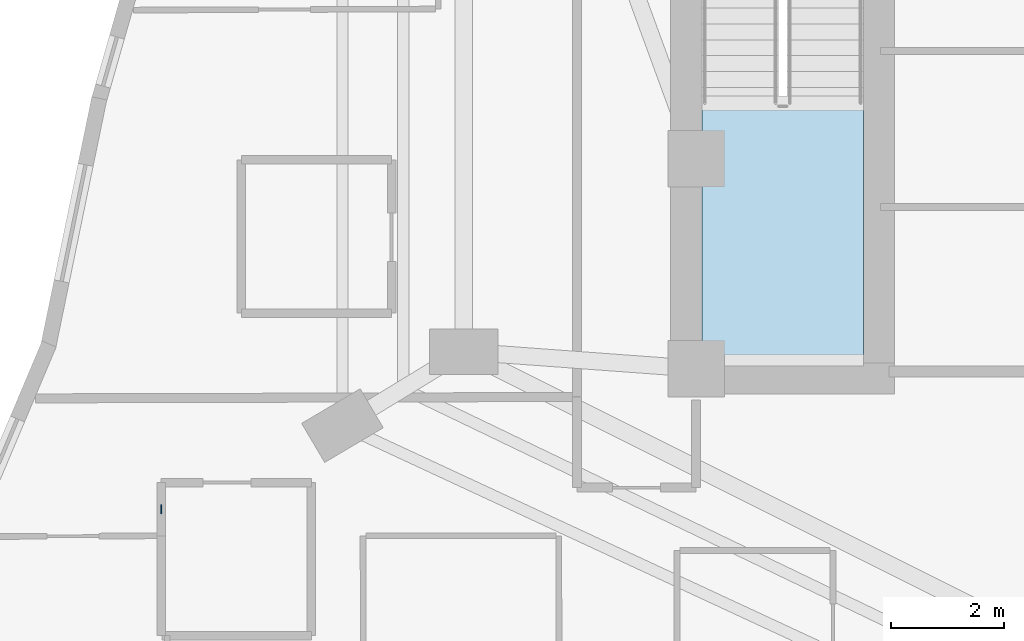
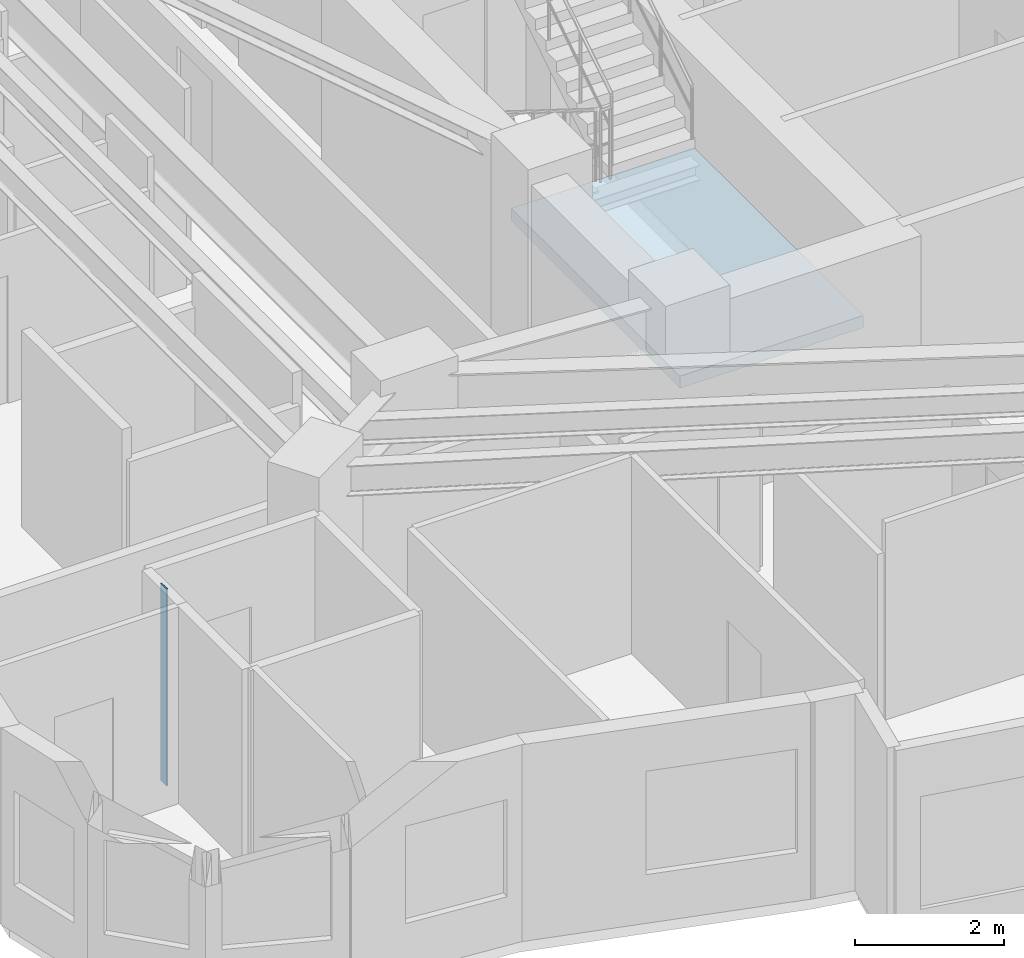
# One storey, part 2 of 11: 1 plate, 1 slab, 1 element without a shape of its own.
"""IFC4 building model written with IfcOpenShell, lengths in metres."""

from ifc_helpers import new_model, si_unit, direction, frame, origin, origin_2d, place, context, subcontext, project, spatial, polyline, rectangle, outline, extrude, material, layer, layer_set, type_object, element, aggregate, save


model = new_model("IFC4")

# Units and contexts
model_context = context("Model", 3, precision=1e-05, world=origin(), true_north=direction((0.0, 1.0)))
body_context = subcontext(model_context, "Body", "Model", "MODEL_VIEW")
ifc_project = project(units=[si_unit("LENGTHUNIT", "METRE"), si_unit("AREAUNIT", "SQUARE_METRE"), si_unit("VOLUMEUNIT", "CUBIC_METRE"), si_unit("PLANEANGLEUNIT", "RADIAN"), si_unit("MASSUNIT", "GRAM", prefix="KILO")], contexts=[model_context])

# Site, building, storey
site_placement = place(None, origin())
site = spatial("IfcSite", under=ifc_project, at=site_placement, CompositionType="ELEMENT")
building_placement = place(site_placement, origin())
building = spatial("IfcBuilding", under=site, at=building_placement, Name="Miruveldt Soraemaru", CompositionType="ELEMENT")
storey_placement = place(building_placement, frame((0.0, 0.0, 159.89990234375)))
storey = spatial("IfcBuildingStorey", under=building, at=storey_placement, Name="L44", CompositionType="ELEMENT", Elevation=159.89990234375)

# Plate
ifc_material_1 = material(Name="Anodised aluminium EN AW-6063 T6", Category="aluminium")
ifc_layer_1 = layer(ifc_material_1, 0.02001953125, Name="Anodised aluminium EN AW-6063 T6", Category="aluminium")
ifc_layer_set_1 = layer_set([ifc_layer_1], Name="Anodised aluminium EN AW-6063 T6")
plate_type = type_object("IfcPlateType", Name="PLT-PART-TRIM", PredefinedType="SHEET", material=ifc_layer_set_1)
plate_placement = place(storey_placement, frame((26.06201171875, 33.0205078125, 0.0), z_axis=(0.0, 0.0, 1.0), x_axis=(0.0, -1.0, 0.0)))
element("IfcPlate", 1, at=plate_placement, inside=storey, type_object=plate_type, Name="L44 Partition Step Corner Trim Plate 064", PredefinedType="SHEET", context=body_context, shape_type="SweptSolid", body=[
    extrude(rectangle(XDim=0.159912109375, YDim=0.02001953125, at=origin_2d()), origin(), (0.0, 0.0, 1.0), 3.235107421875),
])

# Stair, slab
ifc_material_2 = material(Name="Concrete C40/50 (40 MPa)", Category="concrete")
stair_type = type_object("IfcStairType", Name="STAIR-DL-350", PredefinedType="HALF_TURN_STAIR", material=ifc_material_2)
stair_placement = place(storey_placement, origin())
stair = element("IfcStair", 2, at=stair_placement, inside=storey, type_object=stair_type, Name="L44 Protected Exit Stair ST-1", PredefinedType="HALF_TURN_STAIR")
ifc_layer_2 = layer(ifc_material_2, 0.199951171875, Name="Concrete C40/50 (40 MPa)", Category="concrete")
ifc_layer_set_2 = layer_set([ifc_layer_2], Name="Concrete C40/50 (40 MPa)")
slab_type = type_object("IfcSlabType", Name="SLAB-LAND-200", PredefinedType="LANDING", material=ifc_layer_set_2)
slab_placement = place(storey_placement, frame((0.0, 0.0, 1.550048828125)))
slab = element("IfcSlab", 3, at=slab_placement, type_object=slab_type, Name="ST-1 landing 1", PredefinedType="LANDING", context=body_context, shape_type="SweptSolid", body=[
    extrude(outline(polyline([(35.60009765625, 40.197998046875), (35.60009765625, 35.64990234375), (38.449951171875, 35.64990234375), (38.449951171875, 40.197998046875), (35.60009765625, 40.197998046875)])), origin(), (0.0, 0.0, 1.0), 0.199951171875),
])
aggregate(stair, [slab])

save(model, "model.ifc")
